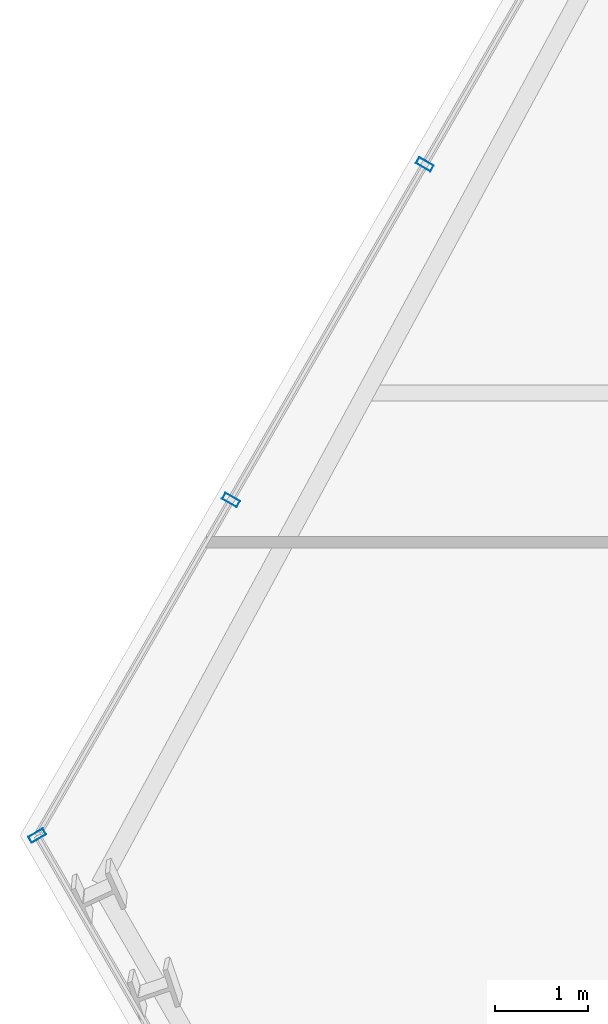
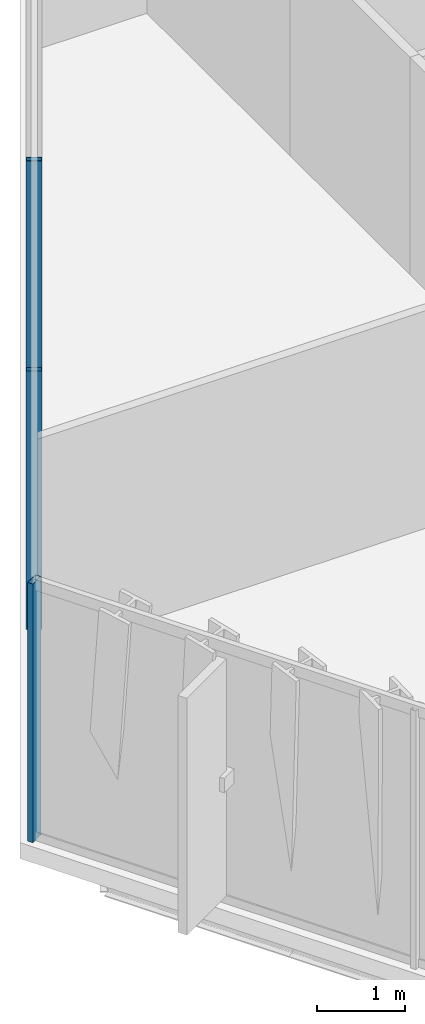
# One storey, part 5 of 35: 3 members, 2 elements without a shape of their own.
"""IFC4 building model written with IfcOpenShell, lengths in metres."""

from ifc_helpers import new_model, si_unit, direction, frame, origin, origin_2d, place, context, subcontext, project, spatial, hollow_rectangle, extrude, material, layer, layer_set, material_profile, profile_set, type_object, element, aggregate, save


model = new_model("IFC4")

# Units and contexts
model_context = context("Model", 3, precision=1e-05, world=origin(), true_north=direction((0.0, 1.0)))
body_context = subcontext(model_context, "Body", "Model", "MODEL_VIEW")
ifc_project = project(units=[si_unit("LENGTHUNIT", "METRE"), si_unit("AREAUNIT", "SQUARE_METRE"), si_unit("VOLUMEUNIT", "CUBIC_METRE"), si_unit("PLANEANGLEUNIT", "RADIAN"), si_unit("MASSUNIT", "GRAM", prefix="KILO")], contexts=[model_context])

# Site, building, storey
site_placement = place(None, origin())
site = spatial("IfcSite", under=ifc_project, at=site_placement, CompositionType="ELEMENT")
building_placement = place(site_placement, origin())
building = spatial("IfcBuilding", under=site, at=building_placement, Name="Ndaravel Arena Tower", CompositionType="ELEMENT")
storey_placement = place(building_placement, frame((0.0, 0.0, 180.199951171875)))
storey = spatial("IfcBuildingStorey", under=building, at=storey_placement, Name="L43", CompositionType="ELEMENT", Elevation=180.199951171875)

# Curtain wall, members
ifc_material_1 = material(Name="Aluminium", Category="aluminium")
ifc_layer_1 = layer(ifc_material_1, 0.179931640625)
ifc_layer_set_1 = layer_set([ifc_layer_1], Name="Aluminium")
curtain_wall_type_1 = type_object("IfcCurtainWallType", Name="CW-SYS-03", PredefinedType="NOTDEFINED", material=ifc_layer_set_1)
curtain_wall_1_placement = place(storey_placement, origin())
curtain_wall_1 = element("IfcCurtainWall", 1, at=curtain_wall_1_placement, inside=storey, type_object=curtain_wall_type_1, Name="L43 Faceted Crystal Curtain Wall CW-L43-E05", PredefinedType="NOTDEFINED")
ifc_material_2 = material(Name="Aluminium", Category="aluminium")
ifc_material_profile = material_profile(ifc_material_2, hollow_rectangle(XDim=0.074951171875, YDim=0.179931640625, WallThickness=0.00390625, at=origin_2d()), Name="CW MULLION 75x180x4")
ifc_profile_set = profile_set([ifc_material_profile], Name="Aluminium")
member_type = type_object("IfcMemberType", Name="MEM-CW-MUL180", PredefinedType="MULLION", material=ifc_profile_set)
member_1_placement = place(storey_placement, frame((22.43408203125, 21.052001953125, 0.0), z_axis=(0.0, 0.0, 1.0), x_axis=(-0.5, -0.866025403784, 0.0)))
member_1 = element("IfcMember", 2, at=member_1_placement, type_object=member_type, Name="CW-L43-E05 Mullion 07", PredefinedType="MULLION", context=body_context, shape_type="SweptSolid", body=[
    extrude(hollow_rectangle(XDim=0.074951171875, YDim=0.179931640625, WallThickness=0.00390625, at=origin_2d()), origin(), (0.0, 0.0, 1.0), 3.580078125),
])
member_2_placement = place(storey_placement, frame((20.35595703125, 17.452392578125, 0.0), z_axis=(0.0, 0.0, 1.0), x_axis=(-0.5, -0.866025403784, 0.0)))
member_2 = element("IfcMember", 3, at=member_2_placement, type_object=member_type, Name="CW-L43-E05 Mullion 08", PredefinedType="MULLION", context=body_context, shape_type="SweptSolid", body=[
    extrude(hollow_rectangle(XDim=0.074951171875, YDim=0.179931640625, WallThickness=0.00390625, at=origin_2d()), origin(), (0.0, 0.0, 1.0), 3.580078125),
])
aggregate(curtain_wall_1, [member_1, member_2])

# Curtain wall, member
ifc_material_3 = material(Name="Aluminium", Category="aluminium")
ifc_layer_2 = layer(ifc_material_3, 0.179931640625)
ifc_layer_set_2 = layer_set([ifc_layer_2], Name="Aluminium")
curtain_wall_type_2 = type_object("IfcCurtainWallType", Name="CW-SYS-02", PredefinedType="NOTDEFINED", material=ifc_layer_set_2)
curtain_wall_2_placement = place(storey_placement, origin())
curtain_wall_2 = element("IfcCurtainWall", 4, at=curtain_wall_2_placement, inside=storey, type_object=curtain_wall_type_2, Name="L43 Faceted Crystal Curtain Wall CW-L43-E06", PredefinedType="NOTDEFINED")
member_3_placement = place(storey_placement, frame((18.27783203125, 13.852783203125, 0.0), z_axis=(0.0, 0.0, 1.0), x_axis=(0.5, -0.866025403784, 0.0)))
member_3 = element("IfcMember", 5, at=member_3_placement, type_object=member_type, Name="CW-L43-E06 Mullion 00", PredefinedType="MULLION", context=body_context, shape_type="SweptSolid", body=[
    extrude(hollow_rectangle(XDim=0.074951171875, YDim=0.179931640625, WallThickness=0.00390625, at=origin_2d()), origin(), (0.0, 0.0, 1.0), 3.580078125),
])
aggregate(curtain_wall_2, [member_3])

save(model, "model.ifc")
